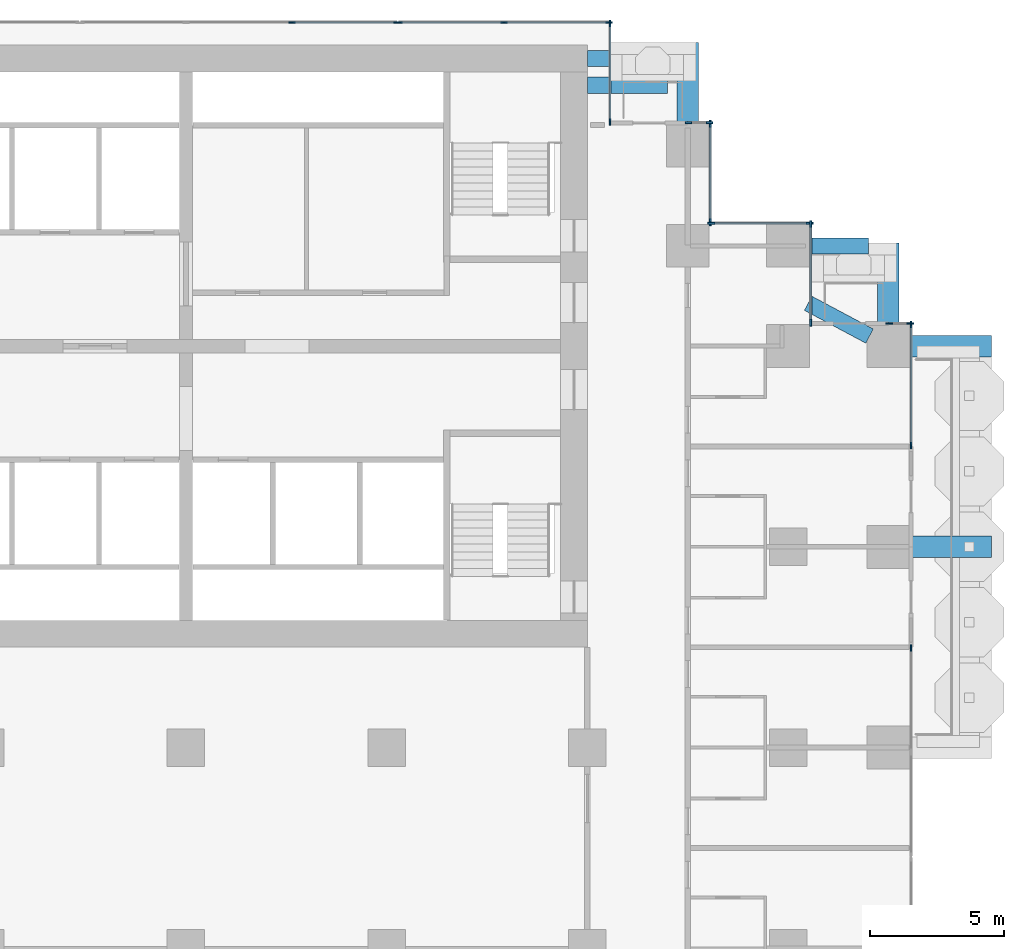
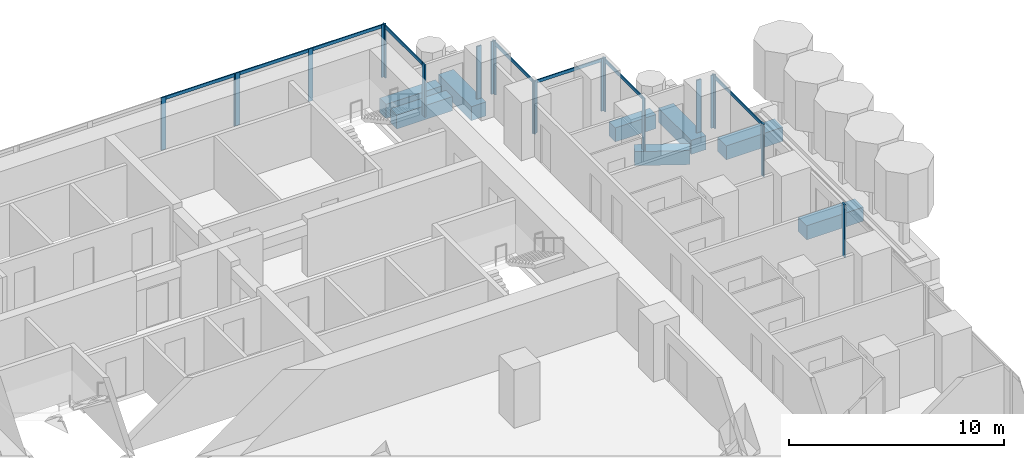
# One storey, part 5 of 19: 28 members, 8 beams, 10 elements without a shape of their own.
"""IFC4 building model written with IfcOpenShell, lengths in metres."""

from ifc_helpers import new_model, si_unit, direction, frame, origin, origin_2d, place, context, subcontext, project, spatial, rectangle, extrude, material, material_profile, profile_set, type_object, element, aggregate, save


model = new_model("IFC4")

# Units and contexts
model_context = context("Model", 3, precision=1e-05, world=origin(), true_north=direction((0.0, 1.0)))
body_context = subcontext(model_context, "Body", "Model", "MODEL_VIEW")
ifc_project = project(units=[si_unit("LENGTHUNIT", "METRE"), si_unit("AREAUNIT", "SQUARE_METRE"), si_unit("VOLUMEUNIT", "CUBIC_METRE"), si_unit("PLANEANGLEUNIT", "RADIAN"), si_unit("MASSUNIT", "GRAM", prefix="KILO")], contexts=[model_context])

# Site, building, storey
site_placement = place(None, origin())
site = spatial("IfcSite", under=ifc_project, at=site_placement, CompositionType="ELEMENT")
building_placement = place(site_placement, origin())
building = spatial("IfcBuilding", under=site, at=building_placement, Name="Pilkhan Gate Tower", CompositionType="ELEMENT")
storey_placement = place(building_placement, frame((0.0, 0.0, 46.10009765625)))
storey = spatial("IfcBuildingStorey", under=building, at=storey_placement, Name="L08", CompositionType="ELEMENT", Elevation=46.10009765625)

# Beams
ifc_material_1 = material(Name="Concrete C50/60", Category="concrete")
ifc_material_profile_1 = material_profile(ifc_material_1, rectangle(XDim=0.60009765625, YDim=0.800048828125, at=origin_2d()), Name="RC 600x800")
ifc_profile_set_1 = profile_set([ifc_material_profile_1], Name="Concrete C50/60")
beam_type_1 = type_object("IfcBeamType", Name="Cantilever beam CB1 RC 600x800 C50/60", PredefinedType="BEAM", material=ifc_profile_set_1)
for number, where, z_axis, x_axis, name in (
    (1, (90.0, 93.25, -0.7001953125), (1.0, 0.0, 0.0), (0.0, 1.0, 0.0), "Balcony beam NE.2 L08"),
    (2, (90.0, 92.25, -0.7001953125), (1.0, 0.0, 0.0), (0.0, 1.0, 0.0), "Balcony beam NE.3 L08"),
):
    element("IfcBeam", number, at=place(storey_placement, frame(where, z_axis=z_axis, x_axis=x_axis)), inside=storey, type_object=beam_type_1, Name=name, PredefinedType="BEAM", context=body_context, shape_type="SweptSolid", body=[
        extrude(rectangle(XDim=0.60009765625, YDim=0.800048828125, at=origin_2d()), origin(), (0.0, 0.0, 1.0), 3.0),
    ])
beam_1_placement = place(storey_placement, frame((98.300048828125, 86.25, -0.7001953125), z_axis=(1.0, 0.0, 0.0), x_axis=(0.0, 1.0, 0.0)))
element("IfcBeam", 3, at=beam_1_placement, inside=storey, type_object=beam_type_1, Name="Balcony beam NE2.2 L08", PredefinedType="BEAM", context=body_context, shape_type="SweptSolid", body=[
    extrude(rectangle(XDim=0.60009765625, YDim=0.800048828125, at=origin_2d()), origin(), (0.0, 0.0, 1.0), 2.199951171875),
])
beam_2_placement = place(storey_placement, frame((100.544189453125, 82.87646484375, -0.7001953125), z_axis=(-0.882342544151, 0.470607729199, 0.0), x_axis=(-0.470607729199, -0.882342544151, 0.0)))
element("IfcBeam", 4, at=beam_2_placement, inside=storey, type_object=beam_type_1, Name="Balcony beam NE2.3 L08", PredefinedType="BEAM", context=body_context, shape_type="SweptSolid", body=[
    extrude(rectangle(XDim=0.60009765625, YDim=0.800048828125, at=origin_2d()), origin(), (0.0, 0.0, 1.0), 2.60009765625),
])
ifc_material_profile_2 = material_profile(ifc_material_1, rectangle(XDim=0.800048828125, YDim=0.800048828125, at=origin_2d()), Name="RC 800x800")
ifc_profile_set_2 = profile_set([ifc_material_profile_2], Name="Concrete C50/60")
beam_type_2 = type_object("IfcBeamType", Name="Cantilever beam CB2 RC 800x800 C50/60", PredefinedType="BEAM", material=ifc_profile_set_2)
for number, where, z_axis, x_axis, name in (
    (5, (102.050048828125, 75.0, -0.7001953125), (1.0, 0.0, 0.0), (0.0, 1.0, 0.0), "Balcony beam E.2 L08"),
    (6, (102.050048828125, 82.5, -0.7001953125), (1.0, 0.0, 0.0), (0.0, 1.0, 0.0), "Balcony beam E.3 L08"),
    (7, (93.75, 90.800048828125, -0.7001953125), (0.0, 1.0, 0.0), (-1.0, 0.0, 0.0), "Balcony beam NE.1 L08"),
    (8, (101.25, 83.300048828125, -0.7001953125), (0.0, 1.0, 0.0), (-1.0, 0.0, 0.0), "Balcony beam NE2.1 L08"),
):
    element("IfcBeam", number, at=place(storey_placement, frame(where, z_axis=z_axis, x_axis=x_axis)), inside=storey, type_object=beam_type_2, Name=name, PredefinedType="BEAM", context=body_context, shape_type="SweptSolid", body=[
        extrude(rectangle(XDim=0.800048828125, YDim=0.800048828125, at=origin_2d()), origin(), (0.0, 0.0, 1.0), 3.050048828125),
    ])

# Curtain wall, member
ifc_material_2 = material(Name="Pale anodised aluminium, clear low-iron double glazing", Category="aluminium")
curtain_wall_type = type_object("IfcCurtainWallType", Name="Hotel unitised curtain wall CW-H", PredefinedType="USERDEFINED", material=ifc_material_2)
curtain_wall_1_placement = place(storey_placement, origin())
curtain_wall_1 = element("IfcCurtainWall", 9, at=curtain_wall_1_placement, inside=storey, type_object=curtain_wall_type, Name="Hotel unitised curtain wall CW-H L08 E", ObjectType="UNITISED CURTAIN WALL", PredefinedType="USERDEFINED")
ifc_material_3 = material(Name="Pale anodised aluminium", Category="aluminium")
ifc_material_profile_3 = material_profile(ifc_material_3, rectangle(XDim=0.06494140625, YDim=0.25, at=origin_2d()), Name="Mullion 250x65")
ifc_profile_set_3 = profile_set([ifc_material_profile_3], Name="Pale anodised aluminium")
member_type_1 = type_object("IfcMemberType", Name="Mullion CW-H 250x65", PredefinedType="MULLION", material=ifc_profile_set_3)
member_1_placement = place(storey_placement, frame((102.094970703125, 71.217529296875, 0.0), z_axis=(0.0, 0.0, 1.0), x_axis=(-1.0, 0.0, 0.0)))
member_1 = element("IfcMember", 10, at=member_1_placement, type_object=member_type_1, Name="CW-H mullion 3", PredefinedType="MULLION", context=body_context, shape_type="SweptSolid", body=[
    extrude(rectangle(XDim=0.06494140625, YDim=0.25, at=origin_2d()), origin(), (0.0, 0.0, 1.0), 3.0),
])
aggregate(curtain_wall_1, [member_1])

# Curtain wall, members
curtain_wall_2_placement = place(storey_placement, origin())
curtain_wall_2 = element("IfcCurtainWall", 11, at=curtain_wall_2_placement, inside=storey, type_object=curtain_wall_type, Name="Hotel unitised curtain wall CW-H L08 E", ObjectType="UNITISED CURTAIN WALL", PredefinedType="USERDEFINED")
member_2_placement = place(storey_placement, frame((102.094970703125, 78.782470703125, 0.0), z_axis=(0.0, 0.0, 1.0), x_axis=(-1.0, 0.0, 0.0)))
member_2 = element("IfcMember", 12, at=member_2_placement, type_object=member_type_1, Name="CW-H mullion 1", PredefinedType="MULLION", context=body_context, shape_type="SweptSolid", body=[
    extrude(rectangle(XDim=0.06494140625, YDim=0.25, at=origin_2d()), origin(), (0.0, 0.0, 1.0), 3.0),
])
member_3_placement = place(storey_placement, frame((102.094970703125, 83.3125, 0.0), z_axis=(0.0, 0.0, 1.0), x_axis=(-1.0, 0.0, 0.0)))
member_3 = element("IfcMember", 13, at=member_3_placement, type_object=member_type_1, Name="CW-H mullion 2", PredefinedType="MULLION", context=body_context, shape_type="SweptSolid", body=[
    extrude(rectangle(XDim=0.06494140625, YDim=0.25, at=origin_2d()), origin(), (0.0, 0.0, 1.0), 3.0),
])

curtain_wall_3_placement = place(storey_placement, origin())
curtain_wall_3 = element("IfcCurtainWall", 14, at=curtain_wall_3_placement, inside=storey, type_object=curtain_wall_type, Name="Hotel unitised curtain wall CW-H L08 N", ObjectType="UNITISED CURTAIN WALL", PredefinedType="USERDEFINED")
member_4_placement = place(storey_placement, frame((101.282470703125, 83.344970703125, 0.0), z_axis=(0.0, 0.0, 1.0), x_axis=(0.0, 1.0, 0.0)))
member_4 = element("IfcMember", 15, at=member_4_placement, type_object=member_type_1, Name="CW-H mullion 1", PredefinedType="MULLION", context=body_context, shape_type="SweptSolid", body=[
    extrude(rectangle(XDim=0.06494140625, YDim=0.25, at=origin_2d()), origin(), (0.0, 0.0, 1.0), 3.0),
])
member_5_placement = place(storey_placement, frame((102.0625, 83.344970703125, 0.0), z_axis=(0.0, 0.0, 1.0), x_axis=(0.0, 1.0, 0.0)))
member_5 = element("IfcMember", 16, at=member_5_placement, type_object=member_type_1, Name="CW-H mullion 2", PredefinedType="MULLION", context=body_context, shape_type="SweptSolid", body=[
    extrude(rectangle(XDim=0.06494140625, YDim=0.25, at=origin_2d()), origin(), (0.0, 0.0, 1.0), 3.0),
])
aggregate(curtain_wall_3, [member_4, member_5])

curtain_wall_4_placement = place(storey_placement, origin())
curtain_wall_4 = element("IfcCurtainWall", 17, at=curtain_wall_4_placement, inside=storey, type_object=curtain_wall_type, Name="Hotel unitised curtain wall CW-H L08 E", ObjectType="UNITISED CURTAIN WALL", PredefinedType="USERDEFINED")
member_6_placement = place(storey_placement, frame((98.344970703125, 83.37744140625, 0.0), z_axis=(0.0, 0.0, 1.0), x_axis=(-1.0, 0.0, 0.0)))
member_6 = element("IfcMember", 18, at=member_6_placement, type_object=member_type_1, Name="CW-H mullion 1", PredefinedType="MULLION", context=body_context, shape_type="SweptSolid", body=[
    extrude(rectangle(XDim=0.06494140625, YDim=0.25, at=origin_2d()), origin(), (0.0, 0.0, 1.0), 3.0),
])
member_7_placement = place(storey_placement, frame((98.344970703125, 87.0625, 0.0), z_axis=(0.0, 0.0, 1.0), x_axis=(-1.0, 0.0, 0.0)))
member_7 = element("IfcMember", 19, at=member_7_placement, type_object=member_type_1, Name="CW-H mullion 2", PredefinedType="MULLION", context=body_context, shape_type="SweptSolid", body=[
    extrude(rectangle(XDim=0.06494140625, YDim=0.25, at=origin_2d()), origin(), (0.0, 0.0, 1.0), 3.0),
])

curtain_wall_5_placement = place(storey_placement, origin())
curtain_wall_5 = element("IfcCurtainWall", 20, at=curtain_wall_5_placement, inside=storey, type_object=curtain_wall_type, Name="Hotel unitised curtain wall CW-H L08 N", ObjectType="UNITISED CURTAIN WALL", PredefinedType="USERDEFINED")
member_8_placement = place(storey_placement, frame((94.62744140625, 87.094970703125, 0.0), z_axis=(0.0, 0.0, 1.0), x_axis=(0.0, 1.0, 0.0)))
member_8 = element("IfcMember", 21, at=member_8_placement, type_object=member_type_1, Name="CW-H mullion 1", PredefinedType="MULLION", context=body_context, shape_type="SweptSolid", body=[
    extrude(rectangle(XDim=0.06494140625, YDim=0.25, at=origin_2d()), origin(), (0.0, 0.0, 1.0), 3.0),
])
member_9_placement = place(storey_placement, frame((98.3125, 87.094970703125, 0.0), z_axis=(0.0, 0.0, 1.0), x_axis=(0.0, 1.0, 0.0)))
member_9 = element("IfcMember", 22, at=member_9_placement, type_object=member_type_1, Name="CW-H mullion 2", PredefinedType="MULLION", context=body_context, shape_type="SweptSolid", body=[
    extrude(rectangle(XDim=0.06494140625, YDim=0.25, at=origin_2d()), origin(), (0.0, 0.0, 1.0), 3.0),
])

curtain_wall_6_placement = place(storey_placement, origin())
curtain_wall_6 = element("IfcCurtainWall", 23, at=curtain_wall_6_placement, inside=storey, type_object=curtain_wall_type, Name="Hotel unitised curtain wall CW-H L08 E", ObjectType="UNITISED CURTAIN WALL", PredefinedType="USERDEFINED")
member_10_placement = place(storey_placement, frame((94.594970703125, 87.12744140625, 0.0), z_axis=(0.0, 0.0, 1.0), x_axis=(-1.0, 0.0, 0.0)))
member_10 = element("IfcMember", 24, at=member_10_placement, type_object=member_type_1, Name="CW-H mullion 1", PredefinedType="MULLION", context=body_context, shape_type="SweptSolid", body=[
    extrude(rectangle(XDim=0.06494140625, YDim=0.25, at=origin_2d()), origin(), (0.0, 0.0, 1.0), 3.0),
])
member_11_placement = place(storey_placement, frame((94.594970703125, 90.8125, 0.0), z_axis=(0.0, 0.0, 1.0), x_axis=(-1.0, 0.0, 0.0)))
member_11 = element("IfcMember", 25, at=member_11_placement, type_object=member_type_1, Name="CW-H mullion 2", PredefinedType="MULLION", context=body_context, shape_type="SweptSolid", body=[
    extrude(rectangle(XDim=0.06494140625, YDim=0.25, at=origin_2d()), origin(), (0.0, 0.0, 1.0), 3.0),
])

curtain_wall_7_placement = place(storey_placement, origin())
curtain_wall_7 = element("IfcCurtainWall", 26, at=curtain_wall_7_placement, inside=storey, type_object=curtain_wall_type, Name="Hotel unitised curtain wall CW-H L08 N", ObjectType="UNITISED CURTAIN WALL", PredefinedType="USERDEFINED")
member_12_placement = place(storey_placement, frame((93.782470703125, 90.844970703125, 0.0), z_axis=(0.0, 0.0, 1.0), x_axis=(0.0, 1.0, 0.0)))
member_12 = element("IfcMember", 27, at=member_12_placement, type_object=member_type_1, Name="CW-H mullion 1", PredefinedType="MULLION", context=body_context, shape_type="SweptSolid", body=[
    extrude(rectangle(XDim=0.06494140625, YDim=0.25, at=origin_2d()), origin(), (0.0, 0.0, 1.0), 3.0),
])
member_13_placement = place(storey_placement, frame((94.5625, 90.844970703125, 0.0), z_axis=(0.0, 0.0, 1.0), x_axis=(0.0, 1.0, 0.0)))
member_13 = element("IfcMember", 28, at=member_13_placement, type_object=member_type_1, Name="CW-H mullion 2", PredefinedType="MULLION", context=body_context, shape_type="SweptSolid", body=[
    extrude(rectangle(XDim=0.06494140625, YDim=0.25, at=origin_2d()), origin(), (0.0, 0.0, 1.0), 3.0),
])
aggregate(curtain_wall_7, [member_12, member_13])

curtain_wall_8_placement = place(storey_placement, origin())
curtain_wall_8 = element("IfcCurtainWall", 29, at=curtain_wall_8_placement, inside=storey, type_object=curtain_wall_type, Name="Hotel unitised curtain wall CW-H L08 E", ObjectType="UNITISED CURTAIN WALL", PredefinedType="USERDEFINED")
member_14_placement = place(storey_placement, frame((90.844970703125, 90.87744140625, 0.0), z_axis=(0.0, 0.0, 1.0), x_axis=(-1.0, 0.0, 0.0)))
member_14 = element("IfcMember", 30, at=member_14_placement, type_object=member_type_1, Name="CW-H mullion 1", PredefinedType="MULLION", context=body_context, shape_type="SweptSolid", body=[
    extrude(rectangle(XDim=0.06494140625, YDim=0.25, at=origin_2d()), origin(), (0.0, 0.0, 1.0), 3.0),
])
member_15_placement = place(storey_placement, frame((90.844970703125, 94.5625, 0.0), z_axis=(0.0, 0.0, 1.0), x_axis=(-1.0, 0.0, 0.0)))
member_15 = element("IfcMember", 31, at=member_15_placement, type_object=member_type_1, Name="CW-H mullion 2", PredefinedType="MULLION", context=body_context, shape_type="SweptSolid", body=[
    extrude(rectangle(XDim=0.06494140625, YDim=0.25, at=origin_2d()), origin(), (0.0, 0.0, 1.0), 3.0),
])

curtain_wall_9_placement = place(storey_placement, origin())
curtain_wall_9 = element("IfcCurtainWall", 32, at=curtain_wall_9_placement, inside=storey, type_object=curtain_wall_type, Name="Hotel unitised curtain wall CW-H L08 N", ObjectType="UNITISED CURTAIN WALL", PredefinedType="USERDEFINED")
member_16_placement = place(storey_placement, frame((78.961181640625, 94.594970703125, 0.0), z_axis=(0.0, 0.0, 1.0), x_axis=(0.0, 1.0, 0.0)))
member_16 = element("IfcMember", 33, at=member_16_placement, type_object=member_type_1, Name="CW-H mullion 3", PredefinedType="MULLION", context=body_context, shape_type="SweptSolid", body=[
    extrude(rectangle(XDim=0.06494140625, YDim=0.25, at=origin_2d()), origin(), (0.0, 0.0, 1.0), 3.0),
])
member_17_placement = place(storey_placement, frame((82.889892578125, 94.594970703125, 0.0), z_axis=(0.0, 0.0, 1.0), x_axis=(0.0, 1.0, 0.0)))
member_17 = element("IfcMember", 34, at=member_17_placement, type_object=member_type_1, Name="CW-H mullion 4", PredefinedType="MULLION", context=body_context, shape_type="SweptSolid", body=[
    extrude(rectangle(XDim=0.06494140625, YDim=0.25, at=origin_2d()), origin(), (0.0, 0.0, 1.0), 3.0),
])

curtain_wall_10_placement = place(storey_placement, origin())
curtain_wall_10 = element("IfcCurtainWall", 35, at=curtain_wall_10_placement, inside=storey, type_object=curtain_wall_type, Name="Hotel unitised curtain wall CW-H L08 N", ObjectType="UNITISED CURTAIN WALL", PredefinedType="USERDEFINED")
member_18_placement = place(storey_placement, frame((82.955078125, 94.594970703125, 0.0), z_axis=(0.0, 0.0, 1.0), x_axis=(0.0, 1.0, 0.0)))
member_18 = element("IfcMember", 36, at=member_18_placement, type_object=member_type_1, Name="CW-H mullion 1", PredefinedType="MULLION", context=body_context, shape_type="SweptSolid", body=[
    extrude(rectangle(XDim=0.06494140625, YDim=0.25, at=origin_2d()), origin(), (0.0, 0.0, 1.0), 3.0),
])
member_19_placement = place(storey_placement, frame((86.8837890625, 94.594970703125, 0.0), z_axis=(0.0, 0.0, 1.0), x_axis=(0.0, 1.0, 0.0)))
member_19 = element("IfcMember", 37, at=member_19_placement, type_object=member_type_1, Name="CW-H mullion 2", PredefinedType="MULLION", context=body_context, shape_type="SweptSolid", body=[
    extrude(rectangle(XDim=0.06494140625, YDim=0.25, at=origin_2d()), origin(), (0.0, 0.0, 1.0), 3.0),
])
member_20_placement = place(storey_placement, frame((90.8125, 94.594970703125, 0.0), z_axis=(0.0, 0.0, 1.0), x_axis=(0.0, 1.0, 0.0)))
member_20 = element("IfcMember", 38, at=member_20_placement, type_object=member_type_1, Name="CW-H mullion 3", PredefinedType="MULLION", context=body_context, shape_type="SweptSolid", body=[
    extrude(rectangle(XDim=0.06494140625, YDim=0.25, at=origin_2d()), origin(), (0.0, 0.0, 1.0), 3.0),
])

# Member
ifc_material_profile_4 = material_profile(ifc_material_3, rectangle(XDim=0.06494140625, YDim=0.179931640625, at=origin_2d()), Name="Transom 180x65")
ifc_profile_set_4 = profile_set([ifc_material_profile_4], Name="Pale anodised aluminium")
member_type_2 = type_object("IfcMemberType", Name="Transom CW-H 180x65", PredefinedType="USERDEFINED", material=ifc_profile_set_4)
member_21_placement = place(storey_placement, frame((102.094970703125, 78.81494140625, 2.909912109375), z_axis=(0.0, 1.0, 0.0), x_axis=(-1.0, 0.0, 0.0)))
member_21 = element("IfcMember", 39, at=member_21_placement, type_object=member_type_2, Name="CW-H transom 1", ObjectType="TRANSOM", PredefinedType="USERDEFINED", context=body_context, shape_type="SweptSolid", body=[
    extrude(rectangle(XDim=0.06494140625, YDim=0.179931640625, at=origin_2d()), origin(), (0.0, 0.0, 1.0), 4.465087890625),
])

aggregate(curtain_wall_2, [member_2, member_3, member_21])

member_22_placement = place(storey_placement, frame((98.344970703125, 83.409912109375, 2.909912109375), z_axis=(0.0, 1.0, 0.0), x_axis=(-1.0, 0.0, 0.0)))
member_22 = element("IfcMember", 40, at=member_22_placement, type_object=member_type_2, Name="CW-H transom 1", ObjectType="TRANSOM", PredefinedType="USERDEFINED", context=body_context, shape_type="SweptSolid", body=[
    extrude(rectangle(XDim=0.06494140625, YDim=0.179931640625, at=origin_2d()), origin(), (0.0, 0.0, 1.0), 3.6201171875),
])

aggregate(curtain_wall_4, [member_6, member_7, member_22])

member_23_placement = place(storey_placement, frame((94.659912109375, 87.094970703125, 2.909912109375), z_axis=(1.0, 0.0, 0.0), x_axis=(0.0, 1.0, 0.0)))
member_23 = element("IfcMember", 41, at=member_23_placement, type_object=member_type_2, Name="CW-H transom 1", ObjectType="TRANSOM", PredefinedType="USERDEFINED", context=body_context, shape_type="SweptSolid", body=[
    extrude(rectangle(XDim=0.06494140625, YDim=0.179931640625, at=origin_2d()), origin(), (0.0, 0.0, 1.0), 3.6201171875),
])

aggregate(curtain_wall_5, [member_8, member_9, member_23])

member_24_placement = place(storey_placement, frame((94.594970703125, 87.159912109375, 2.909912109375), z_axis=(0.0, 1.0, 0.0), x_axis=(-1.0, 0.0, 0.0)))
member_24 = element("IfcMember", 42, at=member_24_placement, type_object=member_type_2, Name="CW-H transom 1", ObjectType="TRANSOM", PredefinedType="USERDEFINED", context=body_context, shape_type="SweptSolid", body=[
    extrude(rectangle(XDim=0.06494140625, YDim=0.179931640625, at=origin_2d()), origin(), (0.0, 0.0, 1.0), 3.6201171875),
])

aggregate(curtain_wall_6, [member_10, member_11, member_24])

member_25_placement = place(storey_placement, frame((90.844970703125, 90.909912109375, 2.909912109375), z_axis=(0.0, 1.0, 0.0), x_axis=(-1.0, 0.0, 0.0)))
member_25 = element("IfcMember", 43, at=member_25_placement, type_object=member_type_2, Name="CW-H transom 1", ObjectType="TRANSOM", PredefinedType="USERDEFINED", context=body_context, shape_type="SweptSolid", body=[
    extrude(rectangle(XDim=0.06494140625, YDim=0.179931640625, at=origin_2d()), origin(), (0.0, 0.0, 1.0), 3.6201171875),
])

aggregate(curtain_wall_8, [member_14, member_15, member_25])

member_26_placement = place(storey_placement, frame((78.99365234375, 94.594970703125, 2.909912109375), z_axis=(1.0, 0.0, 0.0), x_axis=(0.0, 1.0, 0.0)))
member_26 = element("IfcMember", 44, at=member_26_placement, type_object=member_type_2, Name="CW-H transom 3", ObjectType="TRANSOM", PredefinedType="USERDEFINED", context=body_context, shape_type="SweptSolid", body=[
    extrude(rectangle(XDim=0.06494140625, YDim=0.179931640625, at=origin_2d()), origin(), (0.0, 0.0, 1.0), 3.86376953125),
])

aggregate(curtain_wall_9, [member_16, member_17, member_26])

member_27_placement = place(storey_placement, frame((82.987548828125, 94.594970703125, 2.909912109375), z_axis=(1.0, 0.0, 0.0), x_axis=(0.0, 1.0, 0.0)))
member_27 = element("IfcMember", 45, at=member_27_placement, type_object=member_type_2, Name="CW-H transom 1", ObjectType="TRANSOM", PredefinedType="USERDEFINED", context=body_context, shape_type="SweptSolid", body=[
    extrude(rectangle(XDim=0.06494140625, YDim=0.179931640625, at=origin_2d()), origin(), (0.0, 0.0, 1.0), 3.86376953125),
])

member_28_placement = place(storey_placement, frame((86.916259765625, 94.594970703125, 2.909912109375), z_axis=(1.0, 0.0, 0.0), x_axis=(0.0, 1.0, 0.0)))
member_28 = element("IfcMember", 46, at=member_28_placement, type_object=member_type_2, Name="CW-H transom 2", ObjectType="TRANSOM", PredefinedType="USERDEFINED", context=body_context, shape_type="SweptSolid", body=[
    extrude(rectangle(XDim=0.06494140625, YDim=0.179931640625, at=origin_2d()), origin(), (0.0, 0.0, 1.0), 3.86376953125),
])

aggregate(curtain_wall_10, [member_18, member_19, member_20, member_27, member_28])

save(model, "model.ifc")
